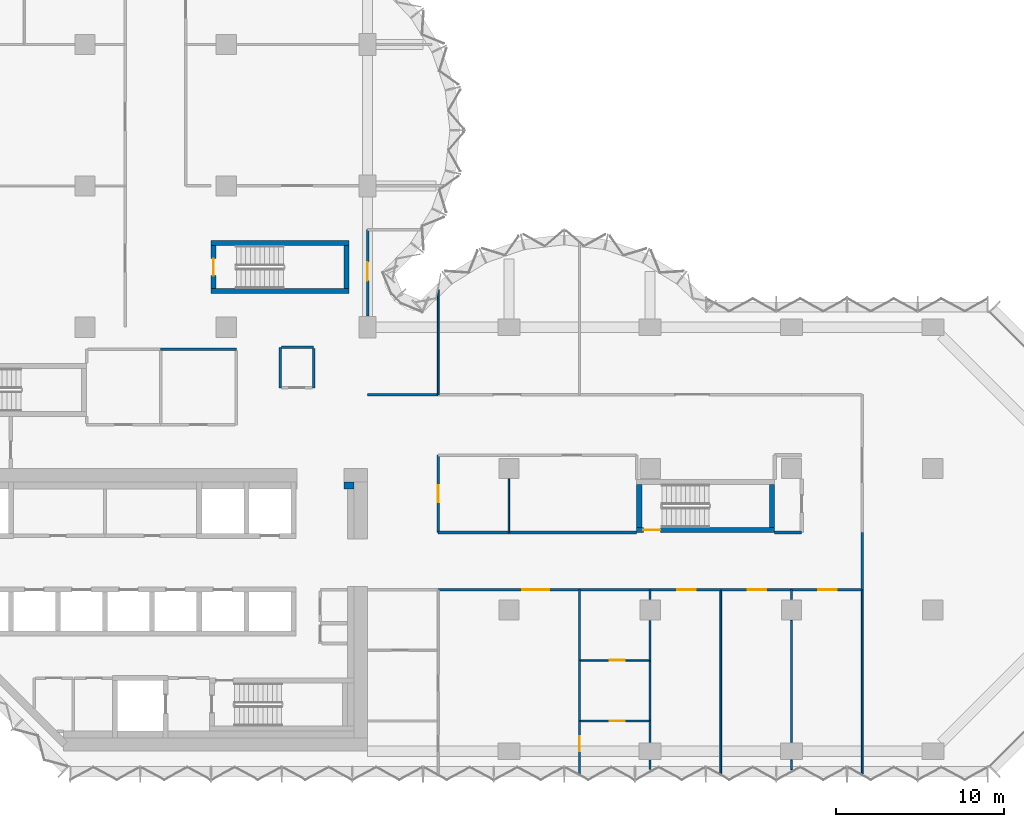
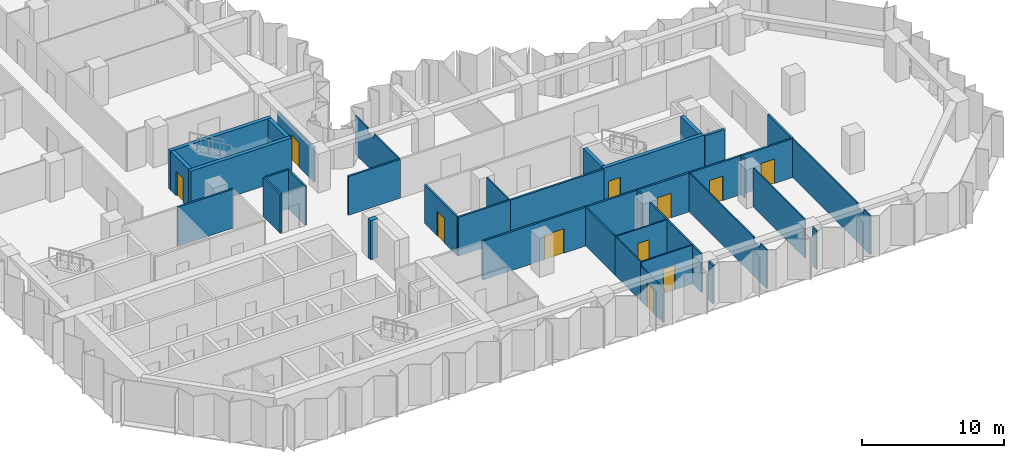
# One storey, part 9 of 13: 41 walls, 11 doors, 11 openings.
"""IFC4 building model written with IfcOpenShell, lengths in metres."""

from ifc_helpers import new_model, si_unit, direction, frame, frame_2d, origin, place, context, subcontext, project, spatial, polyline, rectangle, outline, extrude, material, layer, layer_set, type_object, element, fill, save


model = new_model("IFC4")

# Units and contexts
model_context = context("Model", 3, precision=1e-05, world=origin(), true_north=direction((0.0, 1.0)))
body_context = subcontext(model_context, "Body", "Model", "MODEL_VIEW")
ifc_project = project(units=[si_unit("LENGTHUNIT", "METRE"), si_unit("AREAUNIT", "SQUARE_METRE"), si_unit("VOLUMEUNIT", "CUBIC_METRE"), si_unit("PLANEANGLEUNIT", "RADIAN"), si_unit("MASSUNIT", "GRAM", prefix="KILO")], contexts=[model_context])

# Site, building, storey
site_placement = place(None, origin())
site = spatial("IfcSite", under=ifc_project, at=site_placement, CompositionType="ELEMENT")
building_placement = place(site_placement, origin())
building = spatial("IfcBuilding", under=site, at=building_placement, Name="Brevane Broadcast Tower", CompositionType="ELEMENT")
storey_placement = place(building_placement, frame((0.0, 0.0, 109.699951171875)))
storey = spatial("IfcBuildingStorey", under=building, at=storey_placement, Name="L26", CompositionType="ELEMENT", Elevation=109.699951171875)

# Walls
ifc_material_1 = material(Name="Concrete C32/40", Category="concrete")
ifc_layer_1 = layer(ifc_material_1, 0.39990234375)
ifc_layer_set_1 = layer_set([ifc_layer_1], Name="Core chase wall 400 mm")
wall_type_1 = type_object("IfcWallType", Name="Core chase wall 400 mm", PredefinedType="PARTITIONING", material=ifc_layer_set_1)
wall_1_placement = place(storey_placement, frame((23.800048828125, 15.800048828125, 0.0), z_axis=(0.0, 0.0, 1.0), x_axis=(1.0, 0.0, 0.0)))
element("IfcWall", 1, at=wall_1_placement, inside=storey, type_object=wall_type_1, Name="L26 chase wall LN2", PredefinedType="PARTITIONING", context=body_context, shape_type="SweptSolid", body=[
    extrude(rectangle(XDim=0.599853515625, YDim=0.39990234375, at=frame_2d((0.2998046875, 0.0))), origin(), (0.0, 0.0, 1.0), 3.35009765625),
])
ifc_material_2 = material(Name="Gypsum board on steel studs", Category="steel")
ifc_layer_2 = layer(ifc_material_2, 0.14990234375)
ifc_layer_set_2 = layer_set([ifc_layer_2], Name="Core fire partition 150 mm")
wall_type_2 = type_object("IfcWallType", Name="Core fire partition 150 mm", PredefinedType="PARTITIONING", material=ifc_layer_set_2)
wall_2_placement = place(storey_placement, frame((12.89990234375, 23.89990234375, 0.0), z_axis=(0.0, 0.0, 1.0), x_axis=(1.0, 0.0, 0.0)))
element("IfcWall", 2, at=wall_2_placement, inside=storey, type_object=wall_type_2, Name="L26 partition wall P19", PredefinedType="PARTITIONING", context=body_context, shape_type="SweptSolid", body=[
    extrude(rectangle(XDim=4.5, YDim=0.14990234375, at=frame_2d((2.25, 0.0))), origin(), (0.0, 0.0, 1.0), 3.35009765625),
])
wall_3_placement = place(storey_placement, frame((20.0, 21.60009765625, 0.0), z_axis=(0.0, 0.0, 1.0), x_axis=(0.0, 1.0, 0.0)))
element("IfcWall", 3, at=wall_3_placement, inside=storey, type_object=wall_type_2, Name="L26 partition wall P25", PredefinedType="PARTITIONING", context=body_context, shape_type="SweptSolid", body=[
    extrude(rectangle(XDim=2.39990234375, YDim=0.14990234375, at=frame_2d((1.199951171875, 0.0))), origin(), (0.0, 0.0, 1.0), 3.35009765625),
])
wall_4_placement = place(storey_placement, frame((20.074951171875, 24.0, 0.0), z_axis=(0.0, 0.0, 1.0), x_axis=(1.0, 0.0, 0.0)))
element("IfcWall", 4, at=wall_4_placement, inside=storey, type_object=wall_type_2, Name="L26 partition wall P26", PredefinedType="PARTITIONING", context=body_context, shape_type="SweptSolid", body=[
    extrude(rectangle(XDim=1.925048828125, YDim=0.14990234375, at=frame_2d((0.96240234375, 0.0))), origin(), (0.0, 0.0, 1.0), 3.35009765625),
])
wall_5_placement = place(storey_placement, frame((22.0, 23.925048828125, 0.0), z_axis=(0.0, 0.0, 1.0), x_axis=(0.0, -1.0, 0.0)))
element("IfcWall", 5, at=wall_5_placement, inside=storey, type_object=wall_type_2, Name="L26 partition wall P27", PredefinedType="PARTITIONING", context=body_context, shape_type="SweptSolid", body=[
    extrude(rectangle(XDim=2.324951171875, YDim=0.14990234375, at=frame_2d((1.16259765625, 0.0))), origin(), (0.0, 0.0, 1.0), 3.35009765625),
])
ifc_material_3 = material(Name="Concrete C60/75", Category="concrete")
ifc_layer_3 = layer(ifc_material_3, 0.300048828125)
ifc_layer_set_3 = layer_set([ifc_layer_3], Name="Core wall 300 mm C60/75")
wall_type_3 = type_object("IfcWallType", Name="Core wall 300 mm C60/75", PredefinedType="SHEAR", material=ifc_layer_set_3)
for number, where, z_axis, x_axis, name in (
    (6, (15.89990234375, 27.35009765625, 0.0), (0.0, 0.0, 1.0), (1.0, 0.0, 0.0), "L26 stair wall ST-3-S"),
    (7, (15.89990234375, 30.199951171875, 0.0), (0.0, 0.0, 1.0), (1.0, 0.0, 0.0), "L26 stair wall ST-3-N"),
):
    element("IfcWall", number, at=place(storey_placement, frame(where, z_axis=z_axis, x_axis=x_axis)), inside=storey, type_object=wall_type_3, Name=name, PredefinedType="SHEAR", context=body_context, shape_type="SweptSolid", body=[
        extrude(rectangle(XDim=8.2001953125, YDim=0.300048828125, at=frame_2d((4.10009765625, 0.0))), origin(), (0.0, 0.0, 1.0), 3.35009765625),
    ])

# Wall, opening, door
wall_6_placement = place(storey_placement, frame((16.050048828125, 27.5, 0.0), z_axis=(0.0, 0.0, 1.0), x_axis=(0.0, 1.0, 0.0)))
wall_6 = element("IfcWall", 8, at=wall_6_placement, inside=storey, type_object=wall_type_3, Name="L26 stair wall ST-3-W", PredefinedType="SHEAR", context=body_context, shape_type="SweptSolid", body=[
    extrude(rectangle(XDim=2.550048828125, YDim=0.300048828125, at=frame_2d((1.27490234375, 0.0))), origin(), (0.0, 0.0, 1.0), 3.35009765625),
])
opening_1_placement = place(wall_6_placement, frame((0.77490234375, 0.0, 0.0)))
opening_1 = element("IfcOpeningElement", 9, at=opening_1_placement, cuts=wall_6, Name="Opening L26-K14", PredefinedType="OPENING", context=body_context, shape_type="SweptSolid", body=[
    extrude(rectangle(XDim=1.0, YDim=2.10009765625, at=frame_2d((0.5, 1.050048828125))), frame((0.0, 0.159912109375, 0.0), z_axis=(0.0, -1.0, 0.0), x_axis=(1.0, 0.0, 0.0)), (0.0, 0.0, 1.0), 0.320068359375),
])
ifc_material_4 = material(Name="Steel", Category="steel")
door_type_1 = type_object("IfcDoorType", Name="Stair door 1000 x 2100", OperationType="SINGLE_SWING_LEFT", PredefinedType="DOOR", material=ifc_material_4)
door_1_placement = place(opening_1_placement, origin())
door_1 = element("IfcDoor", 10, at=door_1_placement, inside=storey, type_object=door_type_1, Name="Door L26-K14", OperationType="SINGLE_SWING_RIGHT", OverallHeight=2.10009765625, OverallWidth=1.0, PredefinedType="DOOR", context=body_context, shape_type="SweptSolid", body=[
    extrude(rectangle(XDim=1.0, YDim=2.10009765625, at=frame_2d((0.5, 1.050048828125))), frame((0.0, 0.02490234375, 0.0), z_axis=(0.0, -1.0, 0.0), x_axis=(1.0, 0.0, 0.0)), (0.0, 0.0, 1.0), 0.050048828125),
])
fill(opening_1, door_1)

# Wall
wall_7_placement = place(storey_placement, frame((23.949951171875, 27.5, 0.0), z_axis=(0.0, 0.0, 1.0), x_axis=(0.0, 1.0, 0.0)))
element("IfcWall", 11, at=wall_7_placement, inside=storey, type_object=wall_type_3, Name="L26 stair wall ST-3-E", PredefinedType="SHEAR", context=body_context, shape_type="SweptSolid", body=[
    extrude(rectangle(XDim=2.550048828125, YDim=0.300048828125, at=frame_2d((1.27490234375, 0.0))), origin(), (0.0, 0.0, 1.0), 3.35009765625),
])

# Wall, opening, door
wall_8_placement = place(storey_placement, frame((49.39990234375, 13.14990234375, 0.0), z_axis=(0.0, 0.0, 1.0), x_axis=(-1.0, 0.0, 0.0)))
wall_8 = element("IfcWall", 12, at=wall_8_placement, inside=storey, type_object=wall_type_3, Name="L26 stair wall ST-4-S", PredefinedType="SHEAR", context=body_context, shape_type="SweptSolid", body=[
    extrude(rectangle(XDim=8.199951171875, YDim=0.300048828125, at=frame_2d((4.10009765625, 0.0))), origin(), (0.0, 0.0, 1.0), 3.35009765625),
])
opening_2_placement = place(wall_8_placement, frame((6.800048828125, 0.0, 0.0)))
opening_2 = element("IfcOpeningElement", 13, at=opening_2_placement, cuts=wall_8, Name="Opening L26-K15", PredefinedType="OPENING", context=body_context, shape_type="SweptSolid", body=[
    extrude(rectangle(XDim=1.0, YDim=2.10009765625, at=frame_2d((0.5, 1.050048828125))), frame((0.0, 0.159912109375, 0.0), z_axis=(0.0, -1.0, 0.0), x_axis=(1.0, 0.0, 0.0)), (0.0, 0.0, 1.0), 0.320068359375),
])
door_2_placement = place(opening_2_placement, origin())
door_2 = element("IfcDoor", 14, at=door_2_placement, inside=storey, type_object=door_type_1, Name="Door L26-K15", OperationType="SINGLE_SWING_LEFT", OverallHeight=2.10009765625, OverallWidth=1.0, PredefinedType="DOOR", context=body_context, shape_type="SweptSolid", body=[
    extrude(rectangle(XDim=1.0, YDim=2.10009765625, at=frame_2d((0.5, 1.050048828125))), frame((0.0, 0.02490234375, 0.0), z_axis=(0.0, -1.0, 0.0), x_axis=(1.0, 0.0, 0.0)), (0.0, 0.0, 1.0), 0.050048828125),
])
fill(opening_2, door_2)

# Walls
for number, where, z_axis, x_axis, name in (
    (15, (41.35009765625, 13.300048828125, 0.0), (0.0, 0.0, 1.0), (0.0, 1.0, 0.0), "L26 stair wall ST-4-W"),
    (16, (49.25, 13.300048828125, 0.0), (0.0, 0.0, 1.0), (0.0, 1.0, 0.0), "L26 stair wall ST-4-E"),
):
    element("IfcWall", number, at=place(storey_placement, frame(where, z_axis=z_axis, x_axis=x_axis)), inside=storey, type_object=wall_type_3, Name=name, PredefinedType="SHEAR", context=body_context, shape_type="SweptSolid", body=[
        extrude(rectangle(XDim=2.550048828125, YDim=0.300048828125, at=frame_2d((1.27490234375, 0.0))), origin(), (0.0, 0.0, 1.0), 3.35009765625),
    ])
ifc_material_5 = material(Name="Gypsum board partition")
ifc_layer_4 = layer(ifc_material_5, 0.10009765625)
ifc_layer_set_4 = layer_set([ifc_layer_4], Name="PARTITION 100 STUD")
wall_type_4 = type_object("IfcWallType", Name="PARTITION 100 STUD", PredefinedType="PARTITIONING", material=ifc_layer_set_4)
wall_9_placement = place(storey_placement, frame((29.39990234375, 27.428955078125, 0.0), z_axis=(0.0, 0.0, 1.0), x_axis=(0.0, -1.0, 0.0)))
element("IfcWall", 17, at=wall_9_placement, inside=storey, type_object=wall_type_4, Name="Partition G07-004", PredefinedType="PARTITIONING", context=body_context, shape_type="SweptSolid", body=[
    extrude(outline(polyline([(0.0, 0.0), (6.22900390625, 0.0), (6.22900390625, 3.330078125), (2.678955078125, 3.330078125), (2.677001953125, 2.97998046875), (1.781005859375, 2.97998046875), (1.779052734375, 3.330078125), (0.154052734375, 3.330078125), (0.0, 3.330078125), (0.0, 0.0)])), frame((0.0, 0.050048828125, 0.0), z_axis=(0.0, -1.0, 0.0), x_axis=(1.0, 0.0, 0.0)), (0.0, 0.0, 1.0), 0.10009765625),
])
wall_10_placement = place(storey_placement, frame((54.60009765625, -1.364990234375, 0.0), z_axis=(0.0, 0.0, 1.0), x_axis=(0.0, 1.0, 0.0)))
element("IfcWall", 18, at=wall_10_placement, inside=storey, type_object=wall_type_4, Name="Partition G07-017", PredefinedType="PARTITIONING", context=body_context, shape_type="SweptSolid", body=[
    extrude(outline(polyline([(0.0, 0.0), (10.965087890625, 0.0), (10.965087890625, 3.330078125), (1.81494140625, 3.330078125), (1.81298828125, 2.97998046875), (0.9169921875, 2.97998046875), (0.9150390625, 3.330078125), (0.264892578125, 3.330078125), (0.0, 3.330078125), (0.0, 0.0)])), frame((0.0, 0.050048828125, 0.0), z_axis=(0.0, -1.0, 0.0), x_axis=(1.0, 0.0, 0.0)), (0.0, 0.0, 1.0), 0.10009765625),
])
wall_11_placement = place(storey_placement, frame((33.60009765625, 16.179931640625, 0.0), z_axis=(0.0, 0.0, 1.0), x_axis=(0.0, -1.0, 0.0)))
element("IfcWall", 19, at=wall_11_placement, inside=storey, type_object=wall_type_4, Name="Partition G07-027", PredefinedType="PARTITIONING", context=body_context, shape_type="SweptSolid", body=[
    extrude(rectangle(XDim=3.179931640625, YDim=0.10009765625, at=frame_2d((1.58984375, 0.0))), origin(), (0.0, 0.0, 1.0), 3.330078125),
])

# Wall, opening, door
wall_12_placement = place(storey_placement, frame((37.800048828125, 1.800048828125, 0.0), z_axis=(0.0, 0.0, 1.0), x_axis=(0.0, -1.0, 0.0)))
wall_12 = element("IfcWall", 20, at=wall_12_placement, inside=storey, type_object=wall_type_4, Name="Partition G07-028", PredefinedType="PARTITIONING", context=body_context, shape_type="SweptSolid", body=[
    extrude(rectangle(XDim=3.1650390625, YDim=0.10009765625, at=frame_2d((1.58251953125, 0.0))), origin(), (0.0, 0.0, 1.0), 2.97998046875),
])
opening_3_placement = place(wall_12_placement, frame((0.89990234375, 0.0, 0.0)))
opening_3 = element("IfcOpeningElement", 21, at=opening_3_placement, cuts=wall_12, Name="Opening D14-007", PredefinedType="OPENING", context=body_context, shape_type="SweptSolid", body=[
    extrude(rectangle(XDim=0.89990234375, YDim=2.10009765625, at=frame_2d((0.449951171875, 1.050048828125))), frame((0.0, 0.06005859375, 0.0), z_axis=(0.0, -1.0, 0.0), x_axis=(1.0, 0.0, 0.0)), (0.0, 0.0, 1.0), 0.1201171875),
])
ifc_material_6 = material(Name="Timber door leaf", Category="wood")
door_type_2 = type_object("IfcDoorType", Name="DOOR SINGLE 900 INTERNAL", OperationType="SINGLE_SWING_LEFT", PredefinedType="DOOR", material=ifc_material_6)
door_3_placement = place(opening_3_placement, origin())
door_3 = element("IfcDoor", 22, at=door_3_placement, inside=storey, type_object=door_type_2, Name="Door D14-007", OperationType="SINGLE_SWING_LEFT", OverallHeight=2.10009765625, OverallWidth=0.89990234375, PredefinedType="DOOR", context=body_context, shape_type="SweptSolid", body=[
    extrude(rectangle(XDim=0.89990234375, YDim=2.10009765625, at=frame_2d((0.449951171875, 1.050048828125))), frame((0.0, 0.02490234375, 0.0), z_axis=(0.0, -1.0, 0.0), x_axis=(1.0, 0.0, 0.0)), (0.0, 0.0, 1.0), 0.050048828125),
])
fill(opening_3, door_3)

# Walls
wall_13_placement = place(storey_placement, frame((37.800048828125, 5.39990234375, 0.0), z_axis=(0.0, 0.0, 1.0), x_axis=(0.0, -1.0, 0.0)))
element("IfcWall", 23, at=wall_13_placement, inside=storey, type_object=wall_type_4, Name="Partition G07-029", PredefinedType="PARTITIONING", context=body_context, shape_type="SweptSolid", body=[
    extrude(rectangle(XDim=3.599853515625, YDim=0.10009765625, at=frame_2d((1.7998046875, 0.0))), origin(), (0.0, 0.0, 1.0), 3.330078125),
])
wall_14_placement = place(storey_placement, frame((37.800048828125, 9.60009765625, 0.0), z_axis=(0.0, 0.0, 1.0), x_axis=(0.0, -1.0, 0.0)))
element("IfcWall", 24, at=wall_14_placement, inside=storey, type_object=wall_type_4, Name="Partition G07-030", PredefinedType="PARTITIONING", context=body_context, shape_type="SweptSolid", body=[
    extrude(rectangle(XDim=4.2001953125, YDim=0.10009765625, at=frame_2d((2.10009765625, 0.0))), origin(), (0.0, 0.0, 1.0), 3.330078125),
])

# Wall, opening, door
wall_15_placement = place(storey_placement, frame((37.800048828125, 1.800048828125, 0.0), z_axis=(0.0, 0.0, 1.0), x_axis=(1.0, 0.0, 0.0)))
wall_15 = element("IfcWall", 25, at=wall_15_placement, inside=storey, type_object=wall_type_4, Name="Partition G07-034", PredefinedType="PARTITIONING", context=body_context, shape_type="SweptSolid", body=[
    extrude(rectangle(XDim=4.199951171875, YDim=0.10009765625, at=frame_2d((2.10009765625, 0.0))), origin(), (0.0, 0.0, 1.0), 3.330078125),
])
opening_4_placement = place(wall_15_placement, frame((1.800048828125, 0.0, 0.0)))
opening_4 = element("IfcOpeningElement", 26, at=opening_4_placement, cuts=wall_15, Name="Opening D14-008", PredefinedType="OPENING", context=body_context, shape_type="SweptSolid", body=[
    extrude(rectangle(XDim=0.89990234375, YDim=2.10009765625, at=frame_2d((0.449951171875, 1.050048828125))), frame((0.0, 0.06005859375, 0.0), z_axis=(0.0, -1.0, 0.0), x_axis=(1.0, 0.0, 0.0)), (0.0, 0.0, 1.0), 0.1201171875),
])
door_4_placement = place(opening_4_placement, origin())
door_4 = element("IfcDoor", 27, at=door_4_placement, inside=storey, type_object=door_type_2, Name="Door D14-008", OperationType="SINGLE_SWING_LEFT", OverallHeight=2.10009765625, OverallWidth=0.89990234375, PredefinedType="DOOR", context=body_context, shape_type="SweptSolid", body=[
    extrude(rectangle(XDim=0.89990234375, YDim=2.10009765625, at=frame_2d((0.449951171875, 1.050048828125))), frame((0.0, 0.02490234375, 0.0), z_axis=(0.0, -1.0, 0.0), x_axis=(1.0, 0.0, 0.0)), (0.0, 0.0, 1.0), 0.050048828125),
])
fill(opening_4, door_4)

wall_16_placement = place(storey_placement, frame((37.800048828125, 5.39990234375, 0.0), z_axis=(0.0, 0.0, 1.0), x_axis=(1.0, 0.0, 0.0)))
wall_16 = element("IfcWall", 28, at=wall_16_placement, inside=storey, type_object=wall_type_4, Name="Partition G07-037", PredefinedType="PARTITIONING", context=body_context, shape_type="SweptSolid", body=[
    extrude(rectangle(XDim=4.199951171875, YDim=0.10009765625, at=frame_2d((2.10009765625, 0.0))), origin(), (0.0, 0.0, 1.0), 3.330078125),
])
opening_5_placement = place(wall_16_placement, frame((1.800048828125, 0.0, 0.0)))
opening_5 = element("IfcOpeningElement", 29, at=opening_5_placement, cuts=wall_16, Name="Opening D14-009", PredefinedType="OPENING", context=body_context, shape_type="SweptSolid", body=[
    extrude(rectangle(XDim=0.89990234375, YDim=2.10009765625, at=frame_2d((0.449951171875, 1.050048828125))), frame((0.0, 0.06005859375, 0.0), z_axis=(0.0, -1.0, 0.0), x_axis=(1.0, 0.0, 0.0)), (0.0, 0.0, 1.0), 0.1201171875),
])
door_5_placement = place(opening_5_placement, origin())
door_5 = element("IfcDoor", 30, at=door_5_placement, inside=storey, type_object=door_type_2, Name="Door D14-009", OperationType="SINGLE_SWING_LEFT", OverallHeight=2.10009765625, OverallWidth=0.89990234375, PredefinedType="DOOR", context=body_context, shape_type="SweptSolid", body=[
    extrude(rectangle(XDim=0.89990234375, YDim=2.10009765625, at=frame_2d((0.449951171875, 1.050048828125))), frame((0.0, 0.02490234375, 0.0), z_axis=(0.0, -1.0, 0.0), x_axis=(1.0, 0.0, 0.0)), (0.0, 0.0, 1.0), 0.050048828125),
])
fill(opening_5, door_5)

# Walls
wall_17_placement = place(storey_placement, frame((46.199951171875, 9.60009765625, 0.0), z_axis=(0.0, 0.0, 1.0), x_axis=(0.0, -1.0, 0.0)))
element("IfcWall", 31, at=wall_17_placement, inside=storey, type_object=wall_type_4, Name="Partition G07-043", PredefinedType="PARTITIONING", context=body_context, shape_type="SweptSolid", body=[
    extrude(outline(polyline([(0.0, 0.0), (10.965087890625, 0.0), (10.965087890625, 3.330078125), (10.699951171875, 3.330078125), (10.050048828125, 3.330078125), (10.048095703125, 2.97998046875), (9.152099609375, 2.97998046875), (9.14990234375, 3.330078125), (0.0, 3.330078125), (0.0, 0.0)])), frame((0.0, 0.050048828125, 0.0), z_axis=(0.0, -1.0, 0.0), x_axis=(1.0, 0.0, 0.0)), (0.0, 0.0, 1.0), 0.10009765625),
])
wall_18_placement = place(storey_placement, frame((50.39990234375, 9.60009765625, 0.0), z_axis=(0.0, 0.0, 1.0), x_axis=(0.0, -1.0, 0.0)))
element("IfcWall", 32, at=wall_18_placement, inside=storey, type_object=wall_type_4, Name="Partition G07-044", PredefinedType="PARTITIONING", context=body_context, shape_type="SweptSolid", body=[
    extrude(rectangle(XDim=0.580078125, YDim=0.10009765625, at=frame_2d((0.2900390625, 0.0))), origin(), (0.0, 0.0, 1.0), 3.330078125),
])
wall_19_placement = place(storey_placement, frame((50.39990234375, 7.780029296875, 0.0), z_axis=(0.0, 0.0, 1.0), x_axis=(0.0, -1.0, 0.0)))
element("IfcWall", 33, at=wall_19_placement, inside=storey, type_object=wall_type_4, Name="Partition G07-045", PredefinedType="PARTITIONING", context=body_context, shape_type="SweptSolid", body=[
    extrude(rectangle(XDim=7.260009765625, YDim=0.10009765625, at=frame_2d((3.6298828125, 0.0))), origin(), (0.0, 0.0, 1.0), 3.330078125),
])
wall_20_placement = place(storey_placement, frame((50.39990234375, -0.52001953125, 0.0), z_axis=(0.0, 0.0, 1.0), x_axis=(0.0, -1.0, 0.0)))
element("IfcWall", 34, at=wall_20_placement, inside=storey, type_object=wall_type_4, Name="Partition G07-046", PredefinedType="PARTITIONING", context=body_context, shape_type="SweptSolid", body=[
    extrude(rectangle(XDim=0.580078125, YDim=0.10009765625, at=frame_2d((0.2900390625, 0.0))), origin(), (0.0, 0.0, 1.0), 3.330078125),
])
ifc_layer_5 = layer(ifc_material_5, 0.125)
ifc_layer_set_5 = layer_set([ifc_layer_5], Name="PARTITION 125 ACOUSTIC")
wall_type_5 = type_object("IfcWallType", Name="PARTITION 125 ACOUSTIC", PredefinedType="PARTITIONING", material=ifc_layer_set_5)
wall_21_placement = place(storey_placement, frame((42.0, 1.800048828125, 0.0), z_axis=(0.0, 0.0, 1.0), x_axis=(0.0, -1.0, 0.0)))
element("IfcWall", 35, at=wall_21_placement, inside=storey, type_object=wall_type_5, Name="Partition G07-035", PredefinedType="PARTITIONING", context=body_context, shape_type="SweptSolid", body=[
    extrude(rectangle(XDim=1.280029296875, YDim=0.125, at=frame_2d((0.64013671875, 0.0))), origin(), (0.0, 0.0, 1.0), 3.330078125),
])
wall_22_placement = place(storey_placement, frame((42.0, -0.52001953125, 0.0), z_axis=(0.0, 0.0, 1.0), x_axis=(0.0, -1.0, 0.0)))
element("IfcWall", 36, at=wall_22_placement, inside=storey, type_object=wall_type_5, Name="Partition G07-036", PredefinedType="PARTITIONING", context=body_context, shape_type="SweptSolid", body=[
    extrude(rectangle(XDim=0.580078125, YDim=0.125, at=frame_2d((0.2900390625, 0.0))), origin(), (0.0, 0.0, 1.0), 3.330078125),
])
wall_23_placement = place(storey_placement, frame((42.0, 5.39990234375, 0.0), z_axis=(0.0, 0.0, 1.0), x_axis=(0.0, -1.0, 0.0)))
element("IfcWall", 37, at=wall_23_placement, inside=storey, type_object=wall_type_5, Name="Partition G07-038", PredefinedType="PARTITIONING", context=body_context, shape_type="SweptSolid", body=[
    extrude(rectangle(XDim=3.599853515625, YDim=0.125, at=frame_2d((1.7998046875, 0.0))), origin(), (0.0, 0.0, 1.0), 3.330078125),
])
wall_24_placement = place(storey_placement, frame((42.0, 9.60009765625, 0.0), z_axis=(0.0, 0.0, 1.0), x_axis=(0.0, -1.0, 0.0)))
element("IfcWall", 38, at=wall_24_placement, inside=storey, type_object=wall_type_5, Name="Partition G07-039", PredefinedType="PARTITIONING", context=body_context, shape_type="SweptSolid", body=[
    extrude(rectangle(XDim=0.580078125, YDim=0.125, at=frame_2d((0.2900390625, 0.0))), origin(), (0.0, 0.0, 1.0), 3.330078125),
])
wall_25_placement = place(storey_placement, frame((42.0, 7.780029296875, 0.0), z_axis=(0.0, 0.0, 1.0), x_axis=(0.0, -1.0, 0.0)))
element("IfcWall", 39, at=wall_25_placement, inside=storey, type_object=wall_type_5, Name="Partition G07-040", PredefinedType="PARTITIONING", context=body_context, shape_type="SweptSolid", body=[
    extrude(rectangle(XDim=2.380126953125, YDim=0.125, at=frame_2d((1.18994140625, 0.0))), origin(), (0.0, 0.0, 1.0), 3.330078125),
])
ifc_layer_6 = layer(ifc_material_5, 0.14990234375)
ifc_layer_set_6 = layer_set([ifc_layer_6], Name="PARTITION 150 EI 60")
wall_type_6 = type_object("IfcWallType", Name="PARTITION 150 EI 60", PredefinedType="PARTITIONING", material=ifc_layer_set_6)
wall_26_placement = place(storey_placement, frame((25.199951171875, 21.199951171875, 0.0), z_axis=(0.0, 0.0, 1.0), x_axis=(1.0, 0.0, 0.0)))
element("IfcWall", 40, at=wall_26_placement, inside=storey, type_object=wall_type_6, Name="Partition G07-001", PredefinedType="PARTITIONING", context=body_context, shape_type="SweptSolid", body=[
    extrude(rectangle(XDim=4.199951171875, YDim=0.14990234375, at=frame_2d((2.10009765625, 0.0))), origin(), (0.0, 0.0, 1.0), 3.330078125),
])

# Wall, opening, door
wall_27_placement = place(storey_placement, frame((29.39990234375, 17.60009765625, 0.0), z_axis=(0.0, 0.0, 1.0), x_axis=(0.0, -1.0, 0.0)))
wall_27 = element("IfcWall", 41, at=wall_27_placement, inside=storey, type_object=wall_type_6, Name="Partition G07-002", PredefinedType="PARTITIONING", context=body_context, shape_type="SweptSolid", body=[
    extrude(rectangle(XDim=4.60009765625, YDim=0.14990234375, at=frame_2d((2.300048828125, 0.0))), origin(), (0.0, 0.0, 1.0), 3.330078125),
])
opening_6_placement = place(wall_27_placement, frame((1.800048828125, 0.0, 0.0)))
opening_6 = element("IfcOpeningElement", 42, at=opening_6_placement, cuts=wall_27, Name="Opening D14-003", PredefinedType="OPENING", context=body_context, shape_type="SweptSolid", body=[
    extrude(rectangle(XDim=1.0, YDim=2.10009765625, at=frame_2d((0.5, 1.050048828125))), frame((0.0, 0.0849609375, 0.0), z_axis=(0.0, -1.0, 0.0), x_axis=(1.0, 0.0, 0.0)), (0.0, 0.0, 1.0), 0.169921875),
])
ifc_material_7 = material(Name="Fire-rated timber door leaf", Category="wood")
door_type_3 = type_object("IfcDoorType", Name="DOOR SINGLE 1000 FD30S", OperationType="SINGLE_SWING_LEFT", PredefinedType="DOOR", material=ifc_material_7)
door_6_placement = place(opening_6_placement, origin())
door_6 = element("IfcDoor", 43, at=door_6_placement, inside=storey, type_object=door_type_3, Name="Door D14-003", OperationType="SINGLE_SWING_LEFT", OverallHeight=2.10009765625, OverallWidth=1.0, PredefinedType="DOOR", context=body_context, shape_type="SweptSolid", body=[
    extrude(rectangle(XDim=1.0, YDim=2.10009765625, at=frame_2d((0.5, 1.050048828125))), frame((0.0, 0.02490234375, 0.0), z_axis=(0.0, -1.0, 0.0), x_axis=(1.0, 0.0, 0.0)), (0.0, 0.0, 1.0), 0.050048828125),
])
fill(opening_6, door_6)

wall_28_placement = place(storey_placement, frame((25.199951171875, 31.0, 0.0), z_axis=(0.0, 0.0, 1.0), x_axis=(0.0, -1.0, 0.0)))
wall_28 = element("IfcWall", 44, at=wall_28_placement, inside=storey, type_object=wall_type_6, Name="Partition G07-005", PredefinedType="PARTITIONING", context=body_context, shape_type="SweptSolid", body=[
    extrude(outline(polyline([(0.0, 0.0), (5.1298828125, 0.0), (5.1298828125, 2.97998046875), (0.0, 2.97998046875), (0.0, 0.0)])), frame((0.0, 0.074951171875, 0.0), z_axis=(0.0, -1.0, 0.0), x_axis=(1.0, 0.0, 0.0)), (0.0, 0.0, 1.0), 0.14990234375),
])
opening_7_placement = place(wall_28_placement, frame((1.929931640625, 0.0, 0.0)))
opening_7 = element("IfcOpeningElement", 45, at=opening_7_placement, cuts=wall_28, Name="Opening D14-001", PredefinedType="OPENING", context=body_context, shape_type="SweptSolid", body=[
    extrude(rectangle(XDim=1.10009765625, YDim=2.10009765625, at=frame_2d((0.550048828125, 1.050048828125))), frame((0.0, 0.0849609375, 0.0), z_axis=(0.0, -1.0, 0.0), x_axis=(1.0, 0.0, 0.0)), (0.0, 0.0, 1.0), 0.169921875),
])
door_type_4 = type_object("IfcDoorType", Name="DOOR SINGLE 1100 FD30S", OperationType="SINGLE_SWING_LEFT", PredefinedType="DOOR", material=ifc_material_7)
door_7_placement = place(opening_7_placement, origin())
door_7 = element("IfcDoor", 46, at=door_7_placement, inside=storey, type_object=door_type_4, Name="Door D14-001", OperationType="SINGLE_SWING_RIGHT", OverallHeight=2.10009765625, OverallWidth=1.10009765625, PredefinedType="DOOR", context=body_context, shape_type="SweptSolid", body=[
    extrude(rectangle(XDim=1.10009765625, YDim=2.10009765625, at=frame_2d((0.550048828125, 1.050048828125))), frame((0.0, 0.02490234375, 0.0), z_axis=(0.0, -1.0, 0.0), x_axis=(1.0, 0.0, 0.0)), (0.0, 0.0, 1.0), 0.050048828125),
])
fill(opening_7, door_7)

# Walls
wall_29_placement = place(storey_placement, frame((54.60009765625, 13.0, 0.0), z_axis=(0.0, 0.0, 1.0), x_axis=(0.0, -1.0, 0.0)))
element("IfcWall", 47, at=wall_29_placement, inside=storey, type_object=wall_type_6, Name="Partition G07-007", PredefinedType="PARTITIONING", context=body_context, shape_type="SweptSolid", body=[
    extrude(rectangle(XDim=3.39990234375, YDim=0.14990234375, at=frame_2d((1.699951171875, 0.0))), origin(), (0.0, 0.0, 1.0), 3.330078125),
])
wall_30_placement = place(storey_placement, frame((29.39990234375, 13.0, 0.0), z_axis=(0.0, 0.0, 1.0), x_axis=(1.0, 0.0, 0.0)))
element("IfcWall", 48, at=wall_30_placement, inside=storey, type_object=wall_type_6, Name="Partition G07-008", PredefinedType="PARTITIONING", context=body_context, shape_type="SweptSolid", body=[
    extrude(rectangle(XDim=4.2001953125, YDim=0.14990234375, at=frame_2d((2.10009765625, 0.0))), origin(), (0.0, 0.0, 1.0), 3.330078125),
])
wall_31_placement = place(storey_placement, frame((33.60009765625, 13.0, 0.0), z_axis=(0.0, 0.0, 1.0), x_axis=(1.0, 0.0, 0.0)))
element("IfcWall", 49, at=wall_31_placement, inside=storey, type_object=wall_type_6, Name="Partition G07-009", PredefinedType="PARTITIONING", context=body_context, shape_type="SweptSolid", body=[
    extrude(rectangle(XDim=7.599853515625, YDim=0.14990234375, at=frame_2d((3.7998046875, 0.0))), origin(), (0.0, 0.0, 1.0), 3.330078125),
])

# Wall, opening, door
wall_32_placement = place(storey_placement, frame((37.800048828125, 9.60009765625, 0.0), z_axis=(0.0, 0.0, 1.0), x_axis=(-1.0, 0.0, 0.0)))
wall_32 = element("IfcWall", 50, at=wall_32_placement, inside=storey, type_object=wall_type_6, Name="Partition G07-011", PredefinedType="PARTITIONING", context=body_context, shape_type="SweptSolid", body=[
    extrude(rectangle(XDim=8.400146484375, YDim=0.14990234375, at=frame_2d((4.2001953125, 0.0))), origin(), (0.0, 0.0, 1.0), 3.330078125),
])
opening_8_placement = place(wall_32_placement, frame((1.800048828125, 0.0, 0.0)))
opening_8 = element("IfcOpeningElement", 51, at=opening_8_placement, cuts=wall_32, Name="Opening D14-006", PredefinedType="OPENING", context=body_context, shape_type="SweptSolid", body=[
    extrude(rectangle(XDim=1.60009765625, YDim=2.10009765625, at=frame_2d((0.800048828125, 1.050048828125))), frame((0.0, 0.0849609375, 0.0), z_axis=(0.0, -1.0, 0.0), x_axis=(1.0, 0.0, 0.0)), (0.0, 0.0, 1.0), 0.169921875),
])
door_type_5 = type_object("IfcDoorType", Name="DOOR DOUBLE 1600 FD30S", OperationType="DOUBLE_DOOR_SINGLE_SWING", PredefinedType="DOOR", material=ifc_material_7)
door_8_placement = place(opening_8_placement, origin())
door_8 = element("IfcDoor", 52, at=door_8_placement, inside=storey, type_object=door_type_5, Name="Door D14-006", OperationType="DOUBLE_DOOR_SINGLE_SWING", OverallHeight=2.10009765625, OverallWidth=1.60009765625, PredefinedType="DOOR", context=body_context, shape_type="SweptSolid", body=[
    extrude(rectangle(XDim=1.60009765625, YDim=2.10009765625, at=frame_2d((0.800048828125, 1.050048828125))), frame((0.0, 0.02490234375, 0.0), z_axis=(0.0, -1.0, 0.0), x_axis=(1.0, 0.0, 0.0)), (0.0, 0.0, 1.0), 0.050048828125),
])
fill(opening_8, door_8)

# Wall
wall_33_placement = place(storey_placement, frame((42.0, 9.60009765625, 0.0), z_axis=(0.0, 0.0, 1.0), x_axis=(-1.0, 0.0, 0.0)))
element("IfcWall", 53, at=wall_33_placement, inside=storey, type_object=wall_type_6, Name="Partition G07-012", PredefinedType="PARTITIONING", context=body_context, shape_type="SweptSolid", body=[
    extrude(rectangle(XDim=4.199951171875, YDim=0.14990234375, at=frame_2d((2.10009765625, 0.0))), origin(), (0.0, 0.0, 1.0), 3.330078125),
])

# Wall, opening, door
wall_34_placement = place(storey_placement, frame((46.199951171875, 9.60009765625, 0.0), z_axis=(0.0, 0.0, 1.0), x_axis=(-1.0, 0.0, 0.0)))
wall_34 = element("IfcWall", 54, at=wall_34_placement, inside=storey, type_object=wall_type_6, Name="Partition G07-013", PredefinedType="PARTITIONING", context=body_context, shape_type="SweptSolid", body=[
    extrude(rectangle(XDim=4.199951171875, YDim=0.14990234375, at=frame_2d((2.10009765625, 0.0))), origin(), (0.0, 0.0, 1.0), 3.330078125),
])
opening_9_placement = place(wall_34_placement, frame((1.5, 0.0, 0.0)))
opening_9 = element("IfcOpeningElement", 55, at=opening_9_placement, cuts=wall_34, Name="Opening D14-013", PredefinedType="OPENING", context=body_context, shape_type="SweptSolid", body=[
    extrude(rectangle(XDim=1.10009765625, YDim=2.10009765625, at=frame_2d((0.550048828125, 1.050048828125))), frame((0.0, 0.0849609375, 0.0), z_axis=(0.0, -1.0, 0.0), x_axis=(1.0, 0.0, 0.0)), (0.0, 0.0, 1.0), 0.169921875),
])
door_9_placement = place(opening_9_placement, origin())
door_9 = element("IfcDoor", 56, at=door_9_placement, inside=storey, type_object=door_type_4, Name="Door D14-013", OperationType="SINGLE_SWING_LEFT", OverallHeight=2.10009765625, OverallWidth=1.10009765625, PredefinedType="DOOR", context=body_context, shape_type="SweptSolid", body=[
    extrude(rectangle(XDim=1.10009765625, YDim=2.10009765625, at=frame_2d((0.550048828125, 1.050048828125))), frame((0.0, 0.02490234375, 0.0), z_axis=(0.0, -1.0, 0.0), x_axis=(1.0, 0.0, 0.0)), (0.0, 0.0, 1.0), 0.050048828125),
])
fill(opening_9, door_9)

wall_35_placement = place(storey_placement, frame((50.39990234375, 9.60009765625, 0.0), z_axis=(0.0, 0.0, 1.0), x_axis=(-1.0, 0.0, 0.0)))
wall_35 = element("IfcWall", 57, at=wall_35_placement, inside=storey, type_object=wall_type_6, Name="Partition G07-014", PredefinedType="PARTITIONING", context=body_context, shape_type="SweptSolid", body=[
    extrude(rectangle(XDim=4.199951171875, YDim=0.14990234375, at=frame_2d((2.10009765625, 0.0))), origin(), (0.0, 0.0, 1.0), 3.330078125),
])
opening_10_placement = place(wall_35_placement, frame((1.5, 0.0, 0.0)))
opening_10 = element("IfcOpeningElement", 58, at=opening_10_placement, cuts=wall_35, Name="Opening D14-014", PredefinedType="OPENING", context=body_context, shape_type="SweptSolid", body=[
    extrude(rectangle(XDim=1.10009765625, YDim=2.10009765625, at=frame_2d((0.550048828125, 1.050048828125))), frame((0.0, 0.0849609375, 0.0), z_axis=(0.0, -1.0, 0.0), x_axis=(1.0, 0.0, 0.0)), (0.0, 0.0, 1.0), 0.169921875),
])
door_10_placement = place(opening_10_placement, origin())
door_10 = element("IfcDoor", 59, at=door_10_placement, inside=storey, type_object=door_type_4, Name="Door D14-014", OperationType="SINGLE_SWING_LEFT", OverallHeight=2.10009765625, OverallWidth=1.10009765625, PredefinedType="DOOR", context=body_context, shape_type="SweptSolid", body=[
    extrude(rectangle(XDim=1.10009765625, YDim=2.10009765625, at=frame_2d((0.550048828125, 1.050048828125))), frame((0.0, 0.02490234375, 0.0), z_axis=(0.0, -1.0, 0.0), x_axis=(1.0, 0.0, 0.0)), (0.0, 0.0, 1.0), 0.050048828125),
])
fill(opening_10, door_10)

wall_36_placement = place(storey_placement, frame((54.60009765625, 9.60009765625, 0.0), z_axis=(0.0, 0.0, 1.0), x_axis=(-1.0, 0.0, 0.0)))
wall_36 = element("IfcWall", 60, at=wall_36_placement, inside=storey, type_object=wall_type_6, Name="Partition G07-015", PredefinedType="PARTITIONING", context=body_context, shape_type="SweptSolid", body=[
    extrude(rectangle(XDim=4.2001953125, YDim=0.14990234375, at=frame_2d((2.10009765625, 0.0))), origin(), (0.0, 0.0, 1.0), 3.330078125),
])
opening_11_placement = place(wall_36_placement, frame((1.5, 0.0, 0.0)))
opening_11 = element("IfcOpeningElement", 61, at=opening_11_placement, cuts=wall_36, Name="Opening D14-015", PredefinedType="OPENING", context=body_context, shape_type="SweptSolid", body=[
    extrude(rectangle(XDim=1.10009765625, YDim=2.10009765625, at=frame_2d((0.550048828125, 1.050048828125))), frame((0.0, 0.0849609375, 0.0), z_axis=(0.0, -1.0, 0.0), x_axis=(1.0, 0.0, 0.0)), (0.0, 0.0, 1.0), 0.169921875),
])
door_11_placement = place(opening_11_placement, origin())
door_11 = element("IfcDoor", 62, at=door_11_placement, inside=storey, type_object=door_type_4, Name="Door D14-015", OperationType="SINGLE_SWING_LEFT", OverallHeight=2.10009765625, OverallWidth=1.10009765625, PredefinedType="DOOR", context=body_context, shape_type="SweptSolid", body=[
    extrude(rectangle(XDim=1.10009765625, YDim=2.10009765625, at=frame_2d((0.550048828125, 1.050048828125))), frame((0.0, 0.02490234375, 0.0), z_axis=(0.0, -1.0, 0.0), x_axis=(1.0, 0.0, 0.0)), (0.0, 0.0, 1.0), 0.050048828125),
])
fill(opening_11, door_11)

# Wall
ifc_layer_7 = layer(ifc_material_5, 0.199951171875)
ifc_layer_set_7 = layer_set([ifc_layer_7], Name="PARTITION 200 EI 120")
wall_type_7 = type_object("IfcWallType", Name="PARTITION 200 EI 120", PredefinedType="PARTITIONING", material=ifc_layer_set_7)
wall_37_placement = place(storey_placement, frame((49.39990234375, 13.0, 0.0), z_axis=(0.0, 0.0, 1.0), x_axis=(1.0, 0.0, 0.0)))
element("IfcWall", 63, at=wall_37_placement, inside=storey, type_object=wall_type_7, Name="Partition G07-010", PredefinedType="PARTITIONING", context=body_context, shape_type="SweptSolid", body=[
    extrude(rectangle(XDim=1.60009765625, YDim=0.199951171875, at=frame_2d((0.800048828125, 0.0))), origin(), (0.0, 0.0, 1.0), 3.330078125),
])

save(model, "model.ifc")
